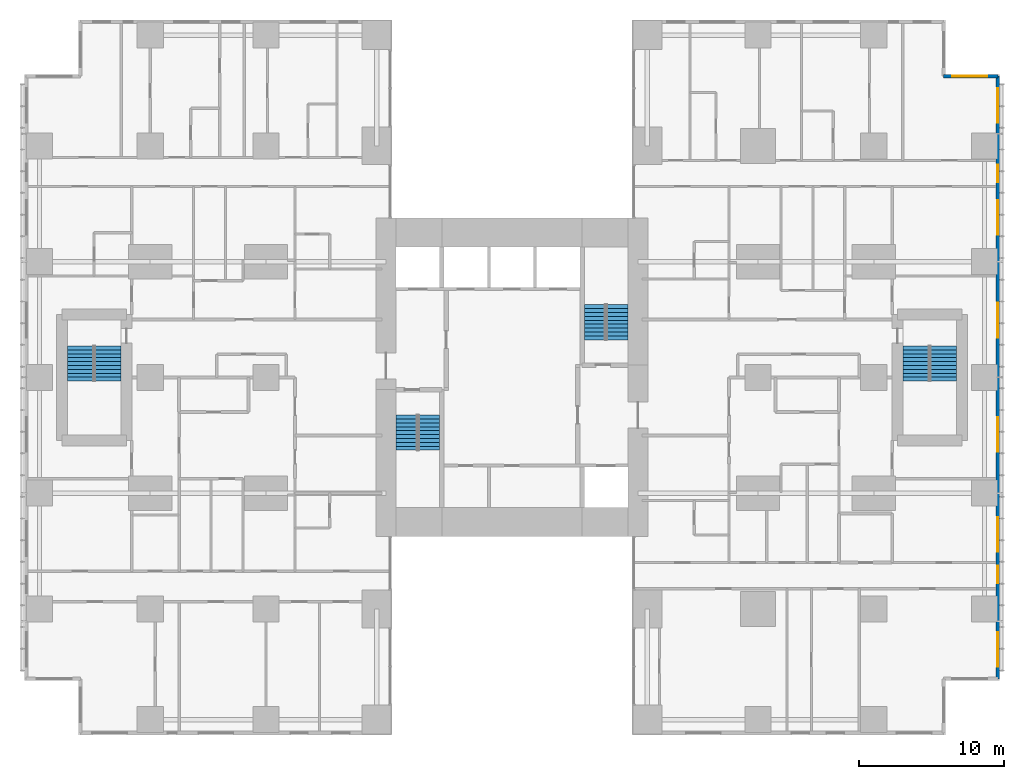
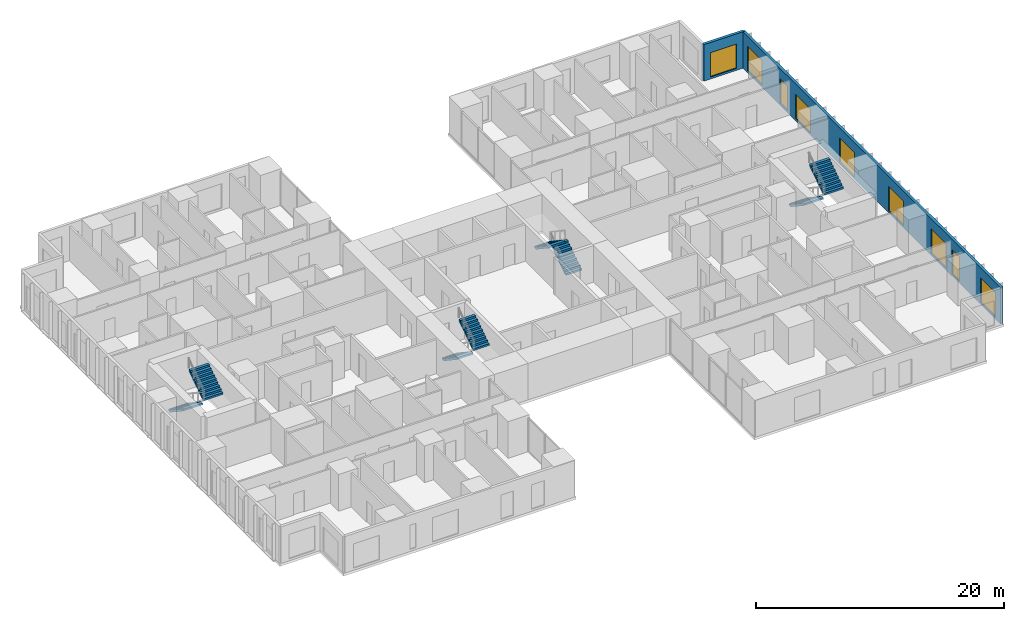
# One storey, part 19 of 20: 9 windows, 8 stair flights, 2 walls, 9 openings, 4 elements without a shape of their own.
"""IFC4 building model written with IfcOpenShell, lengths in metres."""

import ifcopenshell
import ifcopenshell.guid

model = None  # the IFC model being written
_history = None  # IfcOwnerHistory: only IFC2X3 demands one
_inside = {}  # id of a spatial element -> (the spatial element, [elements in it])
_under = {}  # id of a project, library or spatial element -> (it, [spatial elements below it])
_declared = {}  # id of a project -> (the project, [libraries it declares])
_typed = {}  # id of a type object -> (the type object, [elements of that type])
_made_of = {}  # id of a material, layer set ... -> (it, [elements and type objects made of it])


def new_model(schema):
    """Start an empty IFC model of exactly this schema.

    Asked for "IFC4X3", IfcOpenShell would pick the latest addendum, in which some entities
    have other attributes; the version numbers below select the first issue.
    IFC2X3 requires an IfcOwnerHistory on every rooted entity: one is made here for all.
    """
    global model, _history
    if schema == "IFC4X3":
        model = ifcopenshell.file(schema_version=(4, 3, 0, 0))
    else:
        model = ifcopenshell.file(schema=schema)
    _inside.clear()
    _under.clear()
    _declared.clear()
    _typed.clear()
    _made_of.clear()
    _history = None
    if model.schema == "IFC2X3":
        org = make("IfcOrganization", Name="unknown")
        user = make(
            "IfcPersonAndOrganization",
            ThePerson=make("IfcPerson", FamilyName="unknown"),
            TheOrganization=org,
        )
        app = make(
            "IfcApplication",
            ApplicationDeveloper=org,
            Version="unknown",
            ApplicationFullName="unknown",
            ApplicationIdentifier="unknown",
        )
        _history = make(
            "IfcOwnerHistory",
            OwningUser=user,
            OwningApplication=app,
            ChangeAction="ADDED",
            CreationDate=0,
        )
    return model


def make(cls, **values):
    """One entity of the class cls with the attributes given. An attribute that is None is left unset."""
    return model.create_entity(
        cls, **{name: value for name, value in values.items() if value is not None}
    )


def rooted(cls, **values):
    """An entity with a GlobalId (a new one), such as an element, a storey or a relation."""
    return make(cls, GlobalId=ifcopenshell.guid.new(), OwnerHistory=_history, **values)


def si_unit(unit_type, name, prefix=None):
    """IfcSIUnit, for example si_unit("LENGTHUNIT", "METRE", prefix="MILLI")."""
    return make("IfcSIUnit", UnitType=unit_type, Prefix=prefix, Name=name)


def assignment(units):
    """IfcUnitAssignment: the units of a project."""
    return None if units is None else make("IfcUnitAssignment", Units=units)


def point(xyz):
    """IfcCartesianPoint."""
    return None if xyz is None else make("IfcCartesianPoint", Coordinates=xyz)


def direction(xyz):
    """IfcDirection."""
    return None if xyz is None else make("IfcDirection", DirectionRatios=xyz)


def frame(location, z_axis=None, x_axis=None):
    """IfcAxis2Placement3D, a coordinate frame: its origin and axes. An axis left out is left unset."""
    return make(
        "IfcAxis2Placement3D",
        Location=point(location),
        Axis=direction(z_axis),
        RefDirection=direction(x_axis),
    )


def frame_2d(location, x_axis=None):
    """IfcAxis2Placement2D, a coordinate frame in the plane: its origin and x axis."""
    return make(
        "IfcAxis2Placement2D", Location=point(location), RefDirection=direction(x_axis)
    )


def origin():
    """The frame at (0, 0, 0) with its axes left unset."""
    return frame((0.0, 0.0, 0.0))


def place(relative_to, where):
    """IfcLocalPlacement: puts the frame where relative to a parent placement (None: the world)."""
    return make(
        "IfcLocalPlacement", PlacementRelTo=relative_to, RelativePlacement=where
    )


def context(
    kind, dimensions, precision=None, world=None, true_north=None, identifier=None
):
    """IfcGeometricRepresentationContext, for example the 3D "Model" context."""
    return make(
        "IfcGeometricRepresentationContext",
        ContextIdentifier=identifier,
        ContextType=kind,
        CoordinateSpaceDimension=dimensions,
        Precision=precision,
        WorldCoordinateSystem=world,
        TrueNorth=true_north,
    )


def subcontext(parent, identifier, kind, view, scale=None):
    """IfcGeometricRepresentationSubContext, for example "Body" below "Model"."""
    return make(
        "IfcGeometricRepresentationSubContext",
        ContextIdentifier=identifier,
        ContextType=kind,
        ParentContext=parent,
        TargetScale=scale,
        TargetView=view,
    )


def project(units=None, contexts=None):
    """IfcProject with its units and contexts."""
    return rooted(
        "IfcProject",
        Name="project",
        RepresentationContexts=contexts,
        UnitsInContext=assignment(units),
    )


def spatial(cls, under=None, at=None, **own):
    """A site, building, storey or space (cls), placed at a placement, below another one or the project."""
    s = rooted(cls, ObjectPlacement=at, **own)
    if under is not None:
        _under.setdefault(under.id(), (under, []))[1].append(s)
    return s


def polyline(points):
    """IfcPolyline through the points."""
    return make("IfcPolyline", Points=[point(p) for p in points])


def profile(cls, at=None, kind="AREA", **sizes):
    """A parametric profile (cls). Its sizes go by their IFC names, for example OverallWidth=200.0."""
    return make(cls, ProfileType=kind, Position=at, **sizes)


def rectangle(**sizes):
    """IfcRectangleProfileDef."""
    return profile("IfcRectangleProfileDef", **sizes)


def outline(outer, holes=None, kind="AREA"):
    """IfcArbitraryClosedProfileDef: a profile drawn as a closed curve; with holes, ...WithVoids."""
    if holes is None:
        return make("IfcArbitraryClosedProfileDef", ProfileType=kind, OuterCurve=outer)
    return make(
        "IfcArbitraryProfileDefWithVoids",
        ProfileType=kind,
        OuterCurve=outer,
        InnerCurves=holes,
    )


def extrude(swept, where, along, depth):
    """IfcExtrudedAreaSolid: the profile swept, set in the frame where, extruded along a direction by depth."""
    return make(
        "IfcExtrudedAreaSolid",
        SweptArea=swept,
        Position=where,
        ExtrudedDirection=direction(along),
        Depth=depth,
    )


def shape(context_of_items, identifier, shape_type, items):
    """IfcShapeRepresentation: the items that make up one representation, for example the "Body"."""
    return make(
        "IfcShapeRepresentation",
        ContextOfItems=context_of_items,
        RepresentationIdentifier=identifier,
        RepresentationType=shape_type,
        Items=items,
    )


def material(Name=None, Category=None):
    """IfcMaterial."""
    return make("IfcMaterial", Name=Name, Category=Category)


def layer(
    of_material, thickness, ventilated=None, Name=None, Category=None, Priority=None
):
    """IfcMaterialLayer: one layer of a wall or slab, of a material (None: an air gap)."""
    return make(
        "IfcMaterialLayer",
        Material=of_material,
        LayerThickness=thickness,
        IsVentilated=ventilated,
        Name=Name,
        Category=Category,
        Priority=Priority,
    )


def layer_set(layers, Name=None):
    """IfcMaterialLayerSet."""
    return make("IfcMaterialLayerSet", MaterialLayers=layers, LayerSetName=Name)


def made_of(thing, what):
    """Note that an element or type object is made of a material, layer set ...; save() writes the relation."""
    if what is not None:
        _made_of.setdefault(what.id(), (what, []))[1].append(thing)
    return thing


def type_object(cls, material=None, **own):
    """A type object (cls), such as IfcWallType, which elements share."""
    return made_of(rooted(cls, **own), material)


def element(
    cls,
    number,
    at=None,
    inside=None,
    cuts=None,
    type_object=None,
    material=None,
    context=None,
    identifier="Body",
    shape_type=None,
    held_by="IfcProductDefinitionShape",
    body=None,
    shapes=None,
    **own,
):
    """One element of the class cls, such as IfcWall. Its Tag is "e" and its number.

    at: its placement. inside: the storey or other place that contains it. cuts: it is an
    opening in that element (IfcRelVoidsElement). A single representation is given by context,
    identifier, shape_type and body (its items); several are given by shapes. held_by: the class
    of the entity that holds the representations. save() writes the other relations.
    """
    e = rooted(cls, Tag="e%d" % number, ObjectPlacement=at, **own)
    if body is not None:
        shapes = [shape(context, identifier, shape_type, body)]
    if shapes is not None:
        e.Representation = make(held_by, Representations=shapes)
    if inside is not None:
        _inside.setdefault(inside.id(), (inside, []))[1].append(e)
    if cuts is not None:
        rooted(
            "IfcRelVoidsElement", RelatingBuildingElement=cuts, RelatedOpeningElement=e
        )
    if type_object is not None:
        _typed.setdefault(type_object.id(), (type_object, []))[1].append(e)
    return made_of(e, material)


def fill(opening, filler):
    """IfcRelFillsElement: the door or window that sits in an opening."""
    return rooted(
        "IfcRelFillsElement",
        RelatingOpeningElement=opening,
        RelatedBuildingElement=filler,
    )


def aggregate(whole, parts):
    """IfcRelAggregates: a whole, such as a stair, and the parts it consists of."""
    return rooted("IfcRelAggregates", RelatingObject=whole, RelatedObjects=parts)


def save(model, path):
    """Write the relations noted so far, then the file.

    IfcRelAggregates (storeys below a building ...), IfcRelContainedInSpatialStructure (elements
    in a storey), IfcRelDefinesByType, IfcRelAssociatesMaterial and IfcRelDeclares: one each for
    every whole, place, type object, material and project.
    """
    for whole, parts in _under.values():
        aggregate(whole, parts)
    for where, things in _inside.values():
        rooted(
            "IfcRelContainedInSpatialStructure",
            RelatedElements=things,
            RelatingStructure=where,
        )
    for kind, things in _typed.values():
        rooted("IfcRelDefinesByType", RelatedObjects=things, RelatingType=kind)
    for what, things in _made_of.values():
        rooted("IfcRelAssociatesMaterial", RelatedObjects=things, RelatingMaterial=what)
    for by, libraries in _declared.values():
        rooted("IfcRelDeclares", RelatingContext=by, RelatedDefinitions=libraries)
    model.write(path)


model = new_model("IFC4")

# Units and contexts
model_context = context("Model", 3, precision=1e-05, world=origin(), true_north=direction((0.0, 1.0)))
body_context = subcontext(model_context, "Body", "Model", "MODEL_VIEW")
ifc_project = project(units=[si_unit("LENGTHUNIT", "METRE"), si_unit("AREAUNIT", "SQUARE_METRE"), si_unit("VOLUMEUNIT", "CUBIC_METRE"), si_unit("PLANEANGLEUNIT", "RADIAN"), si_unit("MASSUNIT", "GRAM", prefix="KILO")], contexts=[model_context])

# Site, building, storey
site_placement = place(None, origin())
site = spatial("IfcSite", under=ifc_project, at=site_placement, CompositionType="ELEMENT")
building_placement = place(site_placement, origin())
building = spatial("IfcBuilding", under=site, at=building_placement, Name="Cleftline Residences", CompositionType="ELEMENT")
storey_placement = place(building_placement, frame((0.0, 0.0, 207.39990234375)))
storey = spatial("IfcBuildingStorey", under=building, at=storey_placement, Name="L54", CompositionType="ELEMENT", Elevation=207.39990234375)

# Wall, openings, windows
ifc_material_1 = material(Name="Rendered reinforced concrete blockwork", Category="masonry")
ifc_layer = layer(ifc_material_1, 0.25)
ifc_layer_set = layer_set([ifc_layer], Name="EXTERNAL WALL 250")
wall_type = type_object("IfcWallType", Name="EXTERNAL WALL 250", PredefinedType="SOLIDWALL", material=ifc_layer_set)
wall_1_placement = place(storey_placement, frame((66.574951171875, 3.175048828125, 0.0), z_axis=(0.0, 0.0, 1.0), x_axis=(0.0, 1.0, 0.0)))
wall_1 = element("IfcWall", 1, at=wall_1_placement, inside=storey, type_object=wall_type, Name="External wall", PredefinedType="SOLIDWALL", context=body_context, shape_type="SweptSolid", body=[
    extrude(rectangle(XDim=41.64990234375, YDim=0.25, at=frame_2d((20.824951171875, 0.0))), origin(), (0.0, 0.0, 1.0), 3.60009765625),
])
opening_1_placement = place(wall_1_placement, frame((0.824951171875, 0.0, 0.199951171875)))
opening_1 = element("IfcOpeningElement", 2, at=opening_1_placement, cuts=wall_1, Name="Opening W9", PredefinedType="OPENING", context=body_context, shape_type="SweptSolid", body=[
    extrude(rectangle(XDim=2.39990234375, YDim=2.39990234375, at=frame_2d((1.199951171875, 1.199951171875))), frame((0.0, 0.135009765625, 0.0), z_axis=(0.0, -1.0, 0.0), x_axis=(1.0, 0.0, 0.0)), (0.0, 0.0, 1.0), 0.27001953125),
])
opening_2_placement = place(wall_1_placement, frame((6.60009765625, 0.0, 0.199951171875)))
opening_2 = element("IfcOpeningElement", 3, at=opening_2_placement, cuts=wall_1, Name="Opening W13", PredefinedType="OPENING", context=body_context, shape_type="SweptSolid", body=[
    extrude(rectangle(XDim=1.199951171875, YDim=2.39990234375, at=frame_2d((0.60009765625, 1.199951171875))), frame((0.0, 0.135009765625, 0.0), z_axis=(0.0, -1.0, 0.0), x_axis=(1.0, 0.0, 0.0)), (0.0, 0.0, 1.0), 0.27001953125),
])
opening_3_placement = place(wall_1_placement, frame((8.77490234375, 0.0, 0.199951171875)))
opening_3 = element("IfcOpeningElement", 4, at=opening_3_placement, cuts=wall_1, Name="Opening W9", PredefinedType="OPENING", context=body_context, shape_type="SweptSolid", body=[
    extrude(rectangle(XDim=2.39990234375, YDim=2.39990234375, at=frame_2d((1.199951171875, 1.199951171875))), frame((0.0, 0.135009765625, 0.0), z_axis=(0.0, -1.0, 0.0), x_axis=(1.0, 0.0, 0.0)), (0.0, 0.0, 1.0), 0.27001953125),
])
opening_4_placement = place(wall_1_placement, frame((15.675048828125, 0.0, 0.199951171875)))
opening_4 = element("IfcOpeningElement", 5, at=opening_4_placement, cuts=wall_1, Name="Opening W9", PredefinedType="OPENING", context=body_context, shape_type="SweptSolid", body=[
    extrude(rectangle(XDim=2.39990234375, YDim=2.39990234375, at=frame_2d((1.199951171875, 1.199951171875))), frame((0.0, 0.135009765625, 0.0), z_axis=(0.0, -1.0, 0.0), x_axis=(1.0, 0.0, 0.0)), (0.0, 0.0, 1.0), 0.27001953125),
])
opening_5_placement = place(wall_1_placement, frame((23.574951171875, 0.0, 0.199951171875)))
opening_5 = element("IfcOpeningElement", 6, at=opening_5_placement, cuts=wall_1, Name="Opening W9", PredefinedType="OPENING", context=body_context, shape_type="SweptSolid", body=[
    extrude(rectangle(XDim=2.39990234375, YDim=2.39990234375, at=frame_2d((1.199951171875, 1.199951171875))), frame((0.0, 0.135009765625, 0.0), z_axis=(0.0, -1.0, 0.0), x_axis=(1.0, 0.0, 0.0)), (0.0, 0.0, 1.0), 0.27001953125),
])
opening_6_placement = place(wall_1_placement, frame((30.675048828125, 0.0, 0.199951171875)))
opening_6 = element("IfcOpeningElement", 7, at=opening_6_placement, cuts=wall_1, Name="Opening W9", PredefinedType="OPENING", context=body_context, shape_type="SweptSolid", body=[
    extrude(rectangle(XDim=2.39990234375, YDim=2.39990234375, at=frame_2d((1.199951171875, 1.199951171875))), frame((0.0, 0.135009765625, 0.0), z_axis=(0.0, -1.0, 0.0), x_axis=(1.0, 0.0, 0.0)), (0.0, 0.0, 1.0), 0.27001953125),
])
opening_7_placement = place(wall_1_placement, frame((34.324951171875, 0.0, 0.199951171875)))
opening_7 = element("IfcOpeningElement", 8, at=opening_7_placement, cuts=wall_1, Name="Opening W13", PredefinedType="OPENING", context=body_context, shape_type="SweptSolid", body=[
    extrude(rectangle(XDim=1.199951171875, YDim=2.39990234375, at=frame_2d((0.60009765625, 1.199951171875))), frame((0.0, 0.135009765625, 0.0), z_axis=(0.0, -1.0, 0.0), x_axis=(1.0, 0.0, 0.0)), (0.0, 0.0, 1.0), 0.27001953125),
])
opening_8_placement = place(wall_1_placement, frame((38.425048828125, 0.0, 0.199951171875)))
opening_8 = element("IfcOpeningElement", 9, at=opening_8_placement, cuts=wall_1, Name="Opening W9", PredefinedType="OPENING", context=body_context, shape_type="SweptSolid", body=[
    extrude(rectangle(XDim=2.39990234375, YDim=2.39990234375, at=frame_2d((1.199951171875, 1.199951171875))), frame((0.0, 0.135009765625, 0.0), z_axis=(0.0, -1.0, 0.0), x_axis=(1.0, 0.0, 0.0)), (0.0, 0.0, 1.0), 0.27001953125),
])
ifc_material_2 = material(Name="Aluminium frame, clear double glazing", Category="aluminium")
window_type_1 = type_object("IfcWindowType", Name="WINDOW 1200X2400", PartitioningType="DOUBLE_PANEL_VERTICAL", PredefinedType="WINDOW", material=ifc_material_2)
window_1_placement = place(opening_2_placement, origin())
window_1 = element("IfcWindow", 10, at=window_1_placement, inside=storey, type_object=window_type_1, Name="Window", OverallHeight=2.39990234375, OverallWidth=1.199951171875, PartitioningType="SINGLE_PANEL", PredefinedType="WINDOW", context=body_context, shape_type="SweptSolid", body=[
    extrude(rectangle(XDim=1.199951171875, YDim=2.39990234375, at=frame_2d((0.60009765625, 1.199951171875))), frame((0.0, 0.030029296875, 0.0), z_axis=(0.0, -1.0, 0.0), x_axis=(1.0, 0.0, 0.0)), (0.0, 0.0, 1.0), 0.06005859375),
])
fill(opening_2, window_1)
window_2_placement = place(opening_7_placement, origin())
window_2 = element("IfcWindow", 11, at=window_2_placement, inside=storey, type_object=window_type_1, Name="Window", OverallHeight=2.39990234375, OverallWidth=1.199951171875, PartitioningType="SINGLE_PANEL", PredefinedType="WINDOW", context=body_context, shape_type="SweptSolid", body=[
    extrude(rectangle(XDim=1.199951171875, YDim=2.39990234375, at=frame_2d((0.60009765625, 1.199951171875))), frame((0.0, 0.030029296875, 0.0), z_axis=(0.0, -1.0, 0.0), x_axis=(1.0, 0.0, 0.0)), (0.0, 0.0, 1.0), 0.06005859375),
])
fill(opening_7, window_2)
ifc_material_3 = material(Name="Aluminium frame, clear double glazing", Category="aluminium")
window_type_2 = type_object("IfcWindowType", Name="WINDOW 2400X2400", PartitioningType="DOUBLE_PANEL_VERTICAL", PredefinedType="WINDOW", material=ifc_material_3)
window_3_placement = place(opening_1_placement, origin())
window_3 = element("IfcWindow", 12, at=window_3_placement, inside=storey, type_object=window_type_2, Name="Window", OverallHeight=2.39990234375, OverallWidth=2.39990234375, PartitioningType="SINGLE_PANEL", PredefinedType="WINDOW", context=body_context, shape_type="SweptSolid", body=[
    extrude(rectangle(XDim=2.39990234375, YDim=2.39990234375, at=frame_2d((1.199951171875, 1.199951171875))), frame((0.0, 0.030029296875, 0.0), z_axis=(0.0, -1.0, 0.0), x_axis=(1.0, 0.0, 0.0)), (0.0, 0.0, 1.0), 0.06005859375),
])
fill(opening_1, window_3)
window_4_placement = place(opening_3_placement, origin())
window_4 = element("IfcWindow", 13, at=window_4_placement, inside=storey, type_object=window_type_2, Name="Window", OverallHeight=2.39990234375, OverallWidth=2.39990234375, PartitioningType="SINGLE_PANEL", PredefinedType="WINDOW", context=body_context, shape_type="SweptSolid", body=[
    extrude(rectangle(XDim=2.39990234375, YDim=2.39990234375, at=frame_2d((1.199951171875, 1.199951171875))), frame((0.0, 0.030029296875, 0.0), z_axis=(0.0, -1.0, 0.0), x_axis=(1.0, 0.0, 0.0)), (0.0, 0.0, 1.0), 0.06005859375),
])
fill(opening_3, window_4)
window_5_placement = place(opening_4_placement, origin())
window_5 = element("IfcWindow", 14, at=window_5_placement, inside=storey, type_object=window_type_2, Name="Window", OverallHeight=2.39990234375, OverallWidth=2.39990234375, PartitioningType="SINGLE_PANEL", PredefinedType="WINDOW", context=body_context, shape_type="SweptSolid", body=[
    extrude(rectangle(XDim=2.39990234375, YDim=2.39990234375, at=frame_2d((1.199951171875, 1.199951171875))), frame((0.0, 0.030029296875, 0.0), z_axis=(0.0, -1.0, 0.0), x_axis=(1.0, 0.0, 0.0)), (0.0, 0.0, 1.0), 0.06005859375),
])
fill(opening_4, window_5)
window_6_placement = place(opening_5_placement, origin())
window_6 = element("IfcWindow", 15, at=window_6_placement, inside=storey, type_object=window_type_2, Name="Window", OverallHeight=2.39990234375, OverallWidth=2.39990234375, PartitioningType="SINGLE_PANEL", PredefinedType="WINDOW", context=body_context, shape_type="SweptSolid", body=[
    extrude(rectangle(XDim=2.39990234375, YDim=2.39990234375, at=frame_2d((1.199951171875, 1.199951171875))), frame((0.0, 0.030029296875, 0.0), z_axis=(0.0, -1.0, 0.0), x_axis=(1.0, 0.0, 0.0)), (0.0, 0.0, 1.0), 0.06005859375),
])
fill(opening_5, window_6)
window_7_placement = place(opening_6_placement, origin())
window_7 = element("IfcWindow", 16, at=window_7_placement, inside=storey, type_object=window_type_2, Name="Window", OverallHeight=2.39990234375, OverallWidth=2.39990234375, PartitioningType="SINGLE_PANEL", PredefinedType="WINDOW", context=body_context, shape_type="SweptSolid", body=[
    extrude(rectangle(XDim=2.39990234375, YDim=2.39990234375, at=frame_2d((1.199951171875, 1.199951171875))), frame((0.0, 0.030029296875, 0.0), z_axis=(0.0, -1.0, 0.0), x_axis=(1.0, 0.0, 0.0)), (0.0, 0.0, 1.0), 0.06005859375),
])
fill(opening_6, window_7)
window_8_placement = place(opening_8_placement, origin())
window_8 = element("IfcWindow", 17, at=window_8_placement, inside=storey, type_object=window_type_2, Name="Window", OverallHeight=2.39990234375, OverallWidth=2.39990234375, PartitioningType="SINGLE_PANEL", PredefinedType="WINDOW", context=body_context, shape_type="SweptSolid", body=[
    extrude(rectangle(XDim=2.39990234375, YDim=2.39990234375, at=frame_2d((1.199951171875, 1.199951171875))), frame((0.0, 0.030029296875, 0.0), z_axis=(0.0, -1.0, 0.0), x_axis=(1.0, 0.0, 0.0)), (0.0, 0.0, 1.0), 0.06005859375),
])
fill(opening_8, window_8)

# Wall, opening, window
wall_2_placement = place(storey_placement, frame((66.574951171875, 44.824951171875, 0.0), z_axis=(0.0, 0.0, 1.0), x_axis=(-1.0, 0.0, 0.0)))
wall_2 = element("IfcWall", 18, at=wall_2_placement, inside=storey, type_object=wall_type, Name="External wall", PredefinedType="SOLIDWALL", context=body_context, shape_type="SweptSolid", body=[
    extrude(rectangle(XDim=3.75, YDim=0.25, at=frame_2d((1.875, 0.0))), origin(), (0.0, 0.0, 1.0), 3.60009765625),
])
opening_9_placement = place(wall_2_placement, frame((0.737548828125, 0.0, 0.199951171875)))
opening_9 = element("IfcOpeningElement", 19, at=opening_9_placement, cuts=wall_2, Name="Opening W9", PredefinedType="OPENING", context=body_context, shape_type="SweptSolid", body=[
    extrude(rectangle(XDim=2.39990234375, YDim=2.39990234375, at=frame_2d((1.199951171875, 1.199951171875))), frame((0.0, 0.135009765625, 0.0), z_axis=(0.0, -1.0, 0.0), x_axis=(1.0, 0.0, 0.0)), (0.0, 0.0, 1.0), 0.27001953125),
])
window_9_placement = place(opening_9_placement, origin())
window_9 = element("IfcWindow", 20, at=window_9_placement, inside=storey, type_object=window_type_2, Name="Window", OverallHeight=2.39990234375, OverallWidth=2.39990234375, PartitioningType="SINGLE_PANEL", PredefinedType="WINDOW", context=body_context, shape_type="SweptSolid", body=[
    extrude(rectangle(XDim=2.39990234375, YDim=2.39990234375, at=frame_2d((1.199951171875, 1.199951171875))), frame((0.0, 0.030029296875, 0.0), z_axis=(0.0, -1.0, 0.0), x_axis=(1.0, 0.0, 0.0)), (0.0, 0.0, 1.0), 0.06005859375),
])
fill(opening_9, window_9)

# Stair, stair flights
ifc_material_4 = material(Name="Concrete B45, stone treads", Category="masonry")
stair_type_1 = type_object("IfcStairType", Name="STAIR A 1450 WIDE 180 RISER", PredefinedType="HALF_TURN_STAIR", material=ifc_material_4)
stair_1_placement = place(storey_placement, origin())
stair_1 = element("IfcStair", 21, at=stair_1_placement, inside=storey, type_object=stair_type_1, Name="Stair A L54", PredefinedType="HALF_TURN_STAIR")
ifc_material_5 = material(Name="Concrete B45", Category="concrete")
stair_flight_type_1 = type_object("IfcStairFlightType", Name="STAIR A FLIGHT 1450X180", PredefinedType="STRAIGHT", material=ifc_material_5)
stair_flight_1_placement = place(storey_placement, frame((25.72509765625, 21.39990234375, 0.0), z_axis=(0.0, 0.0, 1.0), x_axis=(0.0, -1.0, 0.0)))
stair_flight_1 = element("IfcStairFlight", 22, at=stair_flight_1_placement, type_object=stair_flight_type_1, Name="ST-A flight 1", NumberOfRisers=10, NumberOfTreads=9, PredefinedType="STRAIGHT", RiserHeight=0.18, TreadLength=0.27, context=body_context, shape_type="SweptSolid", body=[
    extrude(outline(polyline([(0.0, 0.0), (0.0, 0.013916015625), (0.0, 0.027587890625), (0.0, 0.04150390625), (0.0, 0.055419921875), (0.0, 0.0693359375), (0.0, 0.0830078125), (0.0, 0.096923828125), (0.0, 0.11083984375), (0.0, 0.12451171875), (0.0, 0.138427734375), (0.0, 0.15234375), (0.0, 0.166259765625), (0.0, 0.179931640625), (0.27001953125, 0.179931640625), (0.27001953125, 0.360107421875), (0.5400390625, 0.360107421875), (0.5400390625, 0.5400390625), (0.81005859375, 0.5400390625), (0.81005859375, 0.719970703125), (1.080078125, 0.719970703125), (1.080078125, 0.89990234375), (1.35009765625, 0.89990234375), (1.35009765625, 1.080078125), (1.6201171875, 1.080078125), (1.6201171875, 1.260009765625), (1.889892578125, 1.260009765625), (1.889892578125, 1.43994140625), (2.159912109375, 1.43994140625), (2.159912109375, 1.6201171875), (2.429931640625, 1.6201171875), (2.429931640625, 1.800048828125), (2.429931640625, 1.772216796875), (2.429931640625, 1.74462890625), (2.429931640625, 1.716796875), (2.429931640625, 1.689208984375), (2.429931640625, 1.661376953125), (2.429931640625, 1.6337890625), (2.429931640625, 1.60595703125), (2.429931640625, 1.578369140625), (2.429931640625, 1.550537109375), (2.429931640625, 1.52294921875), (2.429931640625, 1.495361328125), (2.429931640625, 1.467529296875), (2.429931640625, 1.43994140625), (0.270263671875, 0.0), (0.0, 0.0)])), frame((0.0, 0.72509765625, 0.0), z_axis=(0.0, -1.0, 0.0), x_axis=(1.0, 0.0, 0.0)), (0.0, 0.0, 1.0), 1.449951171875),
])
stair_flight_2_placement = place(storey_placement, frame((27.27490234375, 18.969970703125, 1.800048828125), z_axis=(0.0, 0.0, 1.0), x_axis=(0.0, 1.0, 0.0)))
stair_flight_2 = element("IfcStairFlight", 23, at=stair_flight_2_placement, type_object=stair_flight_type_1, Name="ST-A flight 2", NumberOfRisers=10, NumberOfTreads=9, PredefinedType="STRAIGHT", RiserHeight=0.18, TreadLength=0.27, context=body_context, shape_type="SweptSolid", body=[
    extrude(outline(polyline([(0.0, 0.0), (0.0, 0.013916015625), (0.0, 0.027587890625), (0.0, 0.04150390625), (0.0, 0.055419921875), (0.0, 0.0693359375), (0.0, 0.0830078125), (0.0, 0.096923828125), (0.0, 0.11083984375), (0.0, 0.12451171875), (0.0, 0.138427734375), (0.0, 0.15234375), (0.0, 0.166259765625), (0.0, 0.179931640625), (0.27001953125, 0.179931640625), (0.27001953125, 0.360107421875), (0.5400390625, 0.360107421875), (0.5400390625, 0.5400390625), (0.81005859375, 0.5400390625), (0.81005859375, 0.719970703125), (1.080078125, 0.719970703125), (1.080078125, 0.89990234375), (1.35009765625, 0.89990234375), (1.35009765625, 1.080078125), (1.6201171875, 1.080078125), (1.6201171875, 1.260009765625), (1.889892578125, 1.260009765625), (1.889892578125, 1.43994140625), (2.159912109375, 1.43994140625), (2.159912109375, 1.6201171875), (2.429931640625, 1.6201171875), (2.429931640625, 1.800048828125), (2.429931640625, 1.772216796875), (2.429931640625, 1.74462890625), (2.429931640625, 1.716796875), (2.429931640625, 1.689208984375), (2.429931640625, 1.661376953125), (2.429931640625, 1.6337890625), (2.429931640625, 1.60595703125), (2.429931640625, 1.578369140625), (2.429931640625, 1.550537109375), (2.429931640625, 1.52294921875), (2.429931640625, 1.495361328125), (2.429931640625, 1.467529296875), (2.429931640625, 1.43994140625), (0.270263671875, 0.0), (0.0, 0.0)])), frame((0.0, 0.72509765625, 0.0), z_axis=(0.0, -1.0, 0.0), x_axis=(1.0, 0.0, 0.0)), (0.0, 0.0, 1.0), 1.449951171875),
])
aggregate(stair_1, [stair_flight_1, stair_flight_2])

ifc_material_6 = material(Name="Concrete B45, stone treads", Category="masonry")
stair_type_2 = type_object("IfcStairType", Name="STAIR B 1450 WIDE 180 RISER", PredefinedType="HALF_TURN_STAIR", material=ifc_material_6)
stair_2_placement = place(storey_placement, origin())
stair_2 = element("IfcStair", 24, at=stair_2_placement, inside=storey, type_object=stair_type_2, Name="Stair B L54", PredefinedType="HALF_TURN_STAIR")
ifc_material_7 = material(Name="Concrete B45", Category="concrete")
stair_flight_type_2 = type_object("IfcStairFlightType", Name="STAIR B FLIGHT 1450X180", PredefinedType="STRAIGHT", material=ifc_material_7)
stair_flight_3_placement = place(storey_placement, frame((40.27490234375, 26.60009765625, 0.0), z_axis=(0.0, 0.0, 1.0), x_axis=(0.0, 1.0, 0.0)))
stair_flight_3 = element("IfcStairFlight", 25, at=stair_flight_3_placement, type_object=stair_flight_type_2, Name="ST-B flight 1", NumberOfRisers=10, NumberOfTreads=9, PredefinedType="STRAIGHT", RiserHeight=0.18, TreadLength=0.27, context=body_context, shape_type="SweptSolid", body=[
    extrude(outline(polyline([(0.0, 0.0), (0.0, 0.013916015625), (0.0, 0.027587890625), (0.0, 0.04150390625), (0.0, 0.055419921875), (0.0, 0.0693359375), (0.0, 0.0830078125), (0.0, 0.096923828125), (0.0, 0.11083984375), (0.0, 0.12451171875), (0.0, 0.138427734375), (0.0, 0.15234375), (0.0, 0.166259765625), (0.0, 0.179931640625), (0.27001953125, 0.179931640625), (0.27001953125, 0.360107421875), (0.5400390625, 0.360107421875), (0.5400390625, 0.5400390625), (0.81005859375, 0.5400390625), (0.81005859375, 0.719970703125), (1.080078125, 0.719970703125), (1.080078125, 0.89990234375), (1.35009765625, 0.89990234375), (1.35009765625, 1.080078125), (1.6201171875, 1.080078125), (1.6201171875, 1.260009765625), (1.889892578125, 1.260009765625), (1.889892578125, 1.43994140625), (2.159912109375, 1.43994140625), (2.159912109375, 1.6201171875), (2.429931640625, 1.6201171875), (2.429931640625, 1.800048828125), (2.429931640625, 1.772216796875), (2.429931640625, 1.74462890625), (2.429931640625, 1.716796875), (2.429931640625, 1.689208984375), (2.429931640625, 1.661376953125), (2.429931640625, 1.6337890625), (2.429931640625, 1.60595703125), (2.429931640625, 1.578369140625), (2.429931640625, 1.550537109375), (2.429931640625, 1.52294921875), (2.429931640625, 1.495361328125), (2.429931640625, 1.467529296875), (2.429931640625, 1.43994140625), (0.270263671875, 0.0), (0.0, 0.0)])), frame((0.0, 0.72509765625, 0.0), z_axis=(0.0, -1.0, 0.0), x_axis=(1.0, 0.0, 0.0)), (0.0, 0.0, 1.0), 1.449951171875),
])
stair_flight_4_placement = place(storey_placement, frame((38.72509765625, 29.030029296875, 1.800048828125), z_axis=(0.0, 0.0, 1.0), x_axis=(0.0, -1.0, 0.0)))
stair_flight_4 = element("IfcStairFlight", 26, at=stair_flight_4_placement, type_object=stair_flight_type_2, Name="ST-B flight 2", NumberOfRisers=10, NumberOfTreads=9, PredefinedType="STRAIGHT", RiserHeight=0.18, TreadLength=0.27, context=body_context, shape_type="SweptSolid", body=[
    extrude(outline(polyline([(0.0, 0.0), (0.0, 0.013916015625), (0.0, 0.027587890625), (0.0, 0.04150390625), (0.0, 0.055419921875), (0.0, 0.0693359375), (0.0, 0.0830078125), (0.0, 0.096923828125), (0.0, 0.11083984375), (0.0, 0.12451171875), (0.0, 0.138427734375), (0.0, 0.15234375), (0.0, 0.166259765625), (0.0, 0.179931640625), (0.27001953125, 0.179931640625), (0.27001953125, 0.360107421875), (0.5400390625, 0.360107421875), (0.5400390625, 0.5400390625), (0.81005859375, 0.5400390625), (0.81005859375, 0.719970703125), (1.080078125, 0.719970703125), (1.080078125, 0.89990234375), (1.35009765625, 0.89990234375), (1.35009765625, 1.080078125), (1.6201171875, 1.080078125), (1.6201171875, 1.260009765625), (1.889892578125, 1.260009765625), (1.889892578125, 1.43994140625), (2.159912109375, 1.43994140625), (2.159912109375, 1.6201171875), (2.429931640625, 1.6201171875), (2.429931640625, 1.800048828125), (2.429931640625, 1.772216796875), (2.429931640625, 1.74462890625), (2.429931640625, 1.716796875), (2.429931640625, 1.689208984375), (2.429931640625, 1.661376953125), (2.429931640625, 1.6337890625), (2.429931640625, 1.60595703125), (2.429931640625, 1.578369140625), (2.429931640625, 1.550537109375), (2.429931640625, 1.52294921875), (2.429931640625, 1.495361328125), (2.429931640625, 1.467529296875), (2.429931640625, 1.43994140625), (0.270263671875, 0.0), (0.0, 0.0)])), frame((0.0, 0.72509765625, 0.0), z_axis=(0.0, -1.0, 0.0), x_axis=(1.0, 0.0, 0.0)), (0.0, 0.0, 1.0), 1.449951171875),
])
aggregate(stair_2, [stair_flight_3, stair_flight_4])

ifc_material_8 = material(Name="Concrete B45, stone treads", Category="masonry")
stair_type_3 = type_object("IfcStairType", Name="STAIR E 1800 WIDE 180 RISER", PredefinedType="HALF_TURN_STAIR", material=ifc_material_8)
stair_3_placement = place(storey_placement, origin())
stair_3 = element("IfcStair", 27, at=stair_3_placement, inside=storey, type_object=stair_type_3, Name="Stair E L54", PredefinedType="HALF_TURN_STAIR")
ifc_material_9 = material(Name="Concrete B45", Category="concrete")
stair_flight_type_3 = type_object("IfcStairFlightType", Name="STAIR E FLIGHT 1800X180", PredefinedType="STRAIGHT", material=ifc_material_9)
stair_flight_5_placement = place(storey_placement, frame((60.925048828125, 26.175048828125, 0.0), z_axis=(0.0, 0.0, 1.0), x_axis=(0.0, -1.0, 0.0)))
stair_flight_5 = element("IfcStairFlight", 28, at=stair_flight_5_placement, type_object=stair_flight_type_3, Name="ST-E flight 1", NumberOfRisers=10, NumberOfTreads=9, PredefinedType="STRAIGHT", RiserHeight=0.18, TreadLength=0.27, context=body_context, shape_type="SweptSolid", body=[
    extrude(outline(polyline([(0.0, 0.0), (0.0, 0.013916015625), (0.0, 0.027587890625), (0.0, 0.04150390625), (0.0, 0.055419921875), (0.0, 0.0693359375), (0.0, 0.0830078125), (0.0, 0.096923828125), (0.0, 0.11083984375), (0.0, 0.12451171875), (0.0, 0.138427734375), (0.0, 0.15234375), (0.0, 0.166259765625), (0.0, 0.179931640625), (0.27001953125, 0.179931640625), (0.27001953125, 0.360107421875), (0.5400390625, 0.360107421875), (0.5400390625, 0.5400390625), (0.81005859375, 0.5400390625), (0.81005859375, 0.719970703125), (1.080078125, 0.719970703125), (1.080078125, 0.89990234375), (1.35009765625, 0.89990234375), (1.35009765625, 1.080078125), (1.6201171875, 1.080078125), (1.6201171875, 1.260009765625), (1.889892578125, 1.260009765625), (1.889892578125, 1.43994140625), (2.159912109375, 1.43994140625), (2.159912109375, 1.6201171875), (2.429931640625, 1.6201171875), (2.429931640625, 1.800048828125), (2.429931640625, 1.772216796875), (2.429931640625, 1.74462890625), (2.429931640625, 1.716796875), (2.429931640625, 1.689208984375), (2.429931640625, 1.661376953125), (2.429931640625, 1.6337890625), (2.429931640625, 1.60595703125), (2.429931640625, 1.578369140625), (2.429931640625, 1.550537109375), (2.429931640625, 1.52294921875), (2.429931640625, 1.495361328125), (2.429931640625, 1.467529296875), (2.429931640625, 1.43994140625), (0.270263671875, 0.0), (0.0, 0.0)])), frame((0.0, 0.89990234375, 0.0), z_axis=(0.0, -1.0, 0.0), x_axis=(1.0, 0.0, 0.0)), (0.0, 0.0, 1.0), 1.800048828125),
])
stair_flight_6_placement = place(storey_placement, frame((62.824951171875, 23.7451171875, 1.800048828125), z_axis=(0.0, 0.0, 1.0), x_axis=(0.0, 1.0, 0.0)))
stair_flight_6 = element("IfcStairFlight", 29, at=stair_flight_6_placement, type_object=stair_flight_type_3, Name="ST-E flight 2", NumberOfRisers=10, NumberOfTreads=9, PredefinedType="STRAIGHT", RiserHeight=0.18, TreadLength=0.27, context=body_context, shape_type="SweptSolid", body=[
    extrude(outline(polyline([(0.0, 0.0), (0.0, 0.013916015625), (0.0, 0.027587890625), (0.0, 0.04150390625), (0.0, 0.055419921875), (0.0, 0.0693359375), (0.0, 0.0830078125), (0.0, 0.096923828125), (0.0, 0.11083984375), (0.0, 0.12451171875), (0.0, 0.138427734375), (0.0, 0.15234375), (0.0, 0.166259765625), (0.0, 0.179931640625), (0.27001953125, 0.179931640625), (0.27001953125, 0.360107421875), (0.5400390625, 0.360107421875), (0.5400390625, 0.5400390625), (0.81005859375, 0.5400390625), (0.81005859375, 0.719970703125), (1.080078125, 0.719970703125), (1.080078125, 0.89990234375), (1.35009765625, 0.89990234375), (1.35009765625, 1.080078125), (1.6201171875, 1.080078125), (1.6201171875, 1.260009765625), (1.889892578125, 1.260009765625), (1.889892578125, 1.43994140625), (2.159912109375, 1.43994140625), (2.159912109375, 1.6201171875), (2.429931640625, 1.6201171875), (2.429931640625, 1.800048828125), (2.429931640625, 1.772216796875), (2.429931640625, 1.74462890625), (2.429931640625, 1.716796875), (2.429931640625, 1.689208984375), (2.429931640625, 1.661376953125), (2.429931640625, 1.6337890625), (2.429931640625, 1.60595703125), (2.429931640625, 1.578369140625), (2.429931640625, 1.550537109375), (2.429931640625, 1.52294921875), (2.429931640625, 1.495361328125), (2.429931640625, 1.467529296875), (2.429931640625, 1.43994140625), (0.270263671875, 0.0), (0.0, 0.0)])), frame((0.0, 0.89990234375, 0.0), z_axis=(0.0, -1.0, 0.0), x_axis=(1.0, 0.0, 0.0)), (0.0, 0.0, 1.0), 1.800048828125),
])
aggregate(stair_3, [stair_flight_5, stair_flight_6])

ifc_material_10 = material(Name="Concrete B45, stone treads", Category="masonry")
stair_type_4 = type_object("IfcStairType", Name="STAIR W 1800 WIDE 180 RISER", PredefinedType="HALF_TURN_STAIR", material=ifc_material_10)
stair_4_placement = place(storey_placement, origin())
stair_4 = element("IfcStair", 30, at=stair_4_placement, inside=storey, type_object=stair_type_4, Name="Stair W L54", PredefinedType="HALF_TURN_STAIR")
ifc_material_11 = material(Name="Concrete B45", Category="concrete")
stair_flight_type_4 = type_object("IfcStairFlightType", Name="STAIR W FLIGHT 1800X180", PredefinedType="STRAIGHT", material=ifc_material_11)
stair_flight_7_placement = place(storey_placement, frame((3.175048828125, 26.175048828125, 0.0), z_axis=(0.0, 0.0, 1.0), x_axis=(0.0, -1.0, 0.0)))
stair_flight_7 = element("IfcStairFlight", 31, at=stair_flight_7_placement, type_object=stair_flight_type_4, Name="ST-W flight 1", NumberOfRisers=10, NumberOfTreads=9, PredefinedType="STRAIGHT", RiserHeight=0.18, TreadLength=0.27, context=body_context, shape_type="SweptSolid", body=[
    extrude(outline(polyline([(0.0, 0.0), (0.0, 0.013916015625), (0.0, 0.027587890625), (0.0, 0.04150390625), (0.0, 0.055419921875), (0.0, 0.0693359375), (0.0, 0.0830078125), (0.0, 0.096923828125), (0.0, 0.11083984375), (0.0, 0.12451171875), (0.0, 0.138427734375), (0.0, 0.15234375), (0.0, 0.166259765625), (0.0, 0.179931640625), (0.27001953125, 0.179931640625), (0.27001953125, 0.360107421875), (0.5400390625, 0.360107421875), (0.5400390625, 0.5400390625), (0.81005859375, 0.5400390625), (0.81005859375, 0.719970703125), (1.080078125, 0.719970703125), (1.080078125, 0.89990234375), (1.35009765625, 0.89990234375), (1.35009765625, 1.080078125), (1.6201171875, 1.080078125), (1.6201171875, 1.260009765625), (1.889892578125, 1.260009765625), (1.889892578125, 1.43994140625), (2.159912109375, 1.43994140625), (2.159912109375, 1.6201171875), (2.429931640625, 1.6201171875), (2.429931640625, 1.800048828125), (2.429931640625, 1.772216796875), (2.429931640625, 1.74462890625), (2.429931640625, 1.716796875), (2.429931640625, 1.689208984375), (2.429931640625, 1.661376953125), (2.429931640625, 1.6337890625), (2.429931640625, 1.60595703125), (2.429931640625, 1.578369140625), (2.429931640625, 1.550537109375), (2.429931640625, 1.52294921875), (2.429931640625, 1.495361328125), (2.429931640625, 1.467529296875), (2.429931640625, 1.43994140625), (0.270263671875, 0.0), (0.0, 0.0)])), frame((0.0, 0.89990234375, 0.0), z_axis=(0.0, -1.0, 0.0), x_axis=(1.0, 0.0, 0.0)), (0.0, 0.0, 1.0), 1.800048828125),
])
stair_flight_8_placement = place(storey_placement, frame((5.074951171875, 23.7451171875, 1.800048828125), z_axis=(0.0, 0.0, 1.0), x_axis=(0.0, 1.0, 0.0)))
stair_flight_8 = element("IfcStairFlight", 32, at=stair_flight_8_placement, type_object=stair_flight_type_4, Name="ST-W flight 2", NumberOfRisers=10, NumberOfTreads=9, PredefinedType="STRAIGHT", RiserHeight=0.18, TreadLength=0.27, context=body_context, shape_type="SweptSolid", body=[
    extrude(outline(polyline([(0.0, 0.0), (0.0, 0.013916015625), (0.0, 0.027587890625), (0.0, 0.04150390625), (0.0, 0.055419921875), (0.0, 0.0693359375), (0.0, 0.0830078125), (0.0, 0.096923828125), (0.0, 0.11083984375), (0.0, 0.12451171875), (0.0, 0.138427734375), (0.0, 0.15234375), (0.0, 0.166259765625), (0.0, 0.179931640625), (0.27001953125, 0.179931640625), (0.27001953125, 0.360107421875), (0.5400390625, 0.360107421875), (0.5400390625, 0.5400390625), (0.81005859375, 0.5400390625), (0.81005859375, 0.719970703125), (1.080078125, 0.719970703125), (1.080078125, 0.89990234375), (1.35009765625, 0.89990234375), (1.35009765625, 1.080078125), (1.6201171875, 1.080078125), (1.6201171875, 1.260009765625), (1.889892578125, 1.260009765625), (1.889892578125, 1.43994140625), (2.159912109375, 1.43994140625), (2.159912109375, 1.6201171875), (2.429931640625, 1.6201171875), (2.429931640625, 1.800048828125), (2.429931640625, 1.772216796875), (2.429931640625, 1.74462890625), (2.429931640625, 1.716796875), (2.429931640625, 1.689208984375), (2.429931640625, 1.661376953125), (2.429931640625, 1.6337890625), (2.429931640625, 1.60595703125), (2.429931640625, 1.578369140625), (2.429931640625, 1.550537109375), (2.429931640625, 1.52294921875), (2.429931640625, 1.495361328125), (2.429931640625, 1.467529296875), (2.429931640625, 1.43994140625), (0.270263671875, 0.0), (0.0, 0.0)])), frame((0.0, 0.89990234375, 0.0), z_axis=(0.0, -1.0, 0.0), x_axis=(1.0, 0.0, 0.0)), (0.0, 0.0, 1.0), 1.800048828125),
])
aggregate(stair_4, [stair_flight_7, stair_flight_8])

save(model, "model.ifc")
